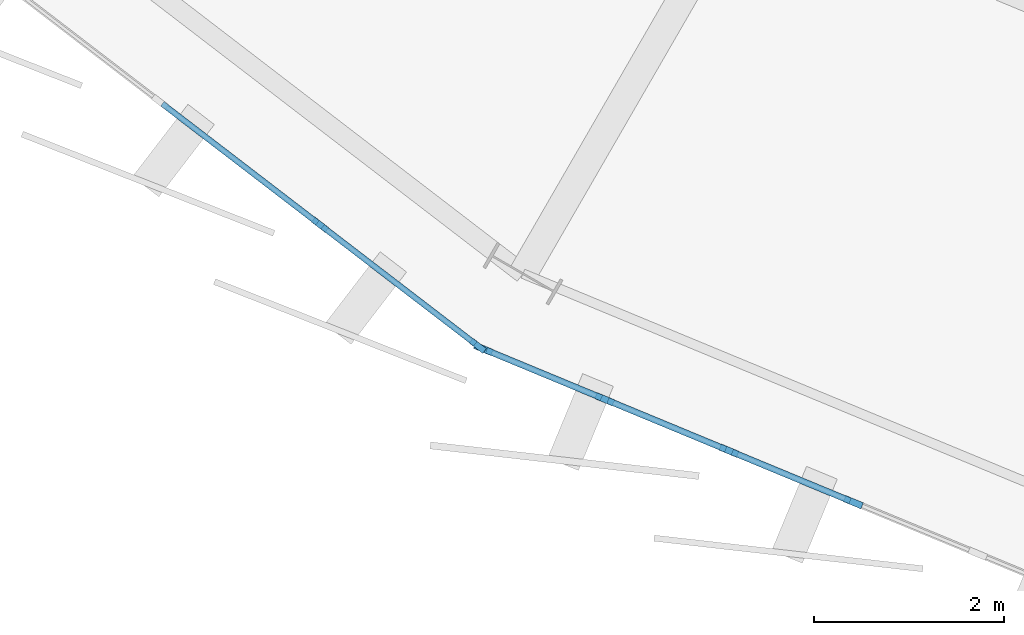
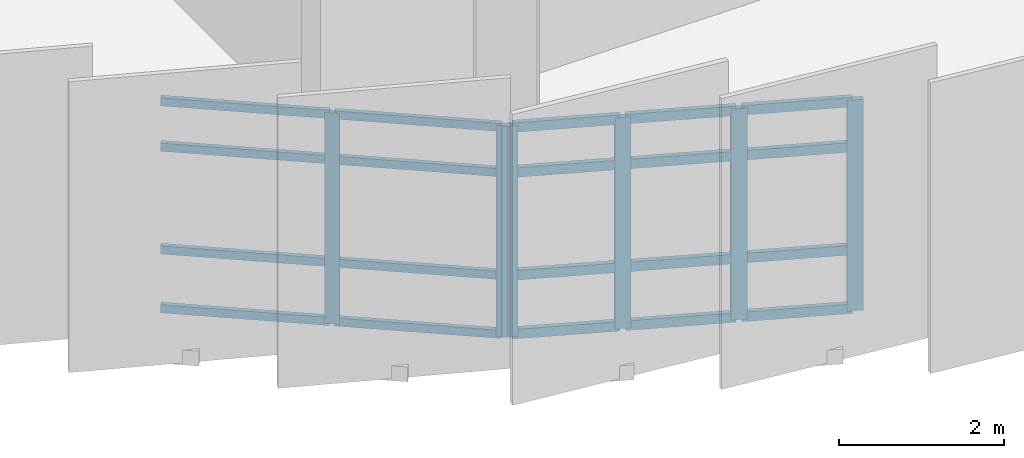
# One storey, part 24 of 120: 26 members, 2 elements without a shape of their own.
"""IFC4 building model written with IfcOpenShell, lengths in metres."""

from ifc_helpers import new_model, si_unit, direction, frame, origin, origin_2d, place, context, subcontext, project, spatial, rectangle, extrude, material, layer, layer_set, material_profile, profile_set, type_object, element, aggregate, save


model = new_model("IFC4")

# Units and contexts
model_context = context("Model", 3, precision=1e-05, world=origin(), true_north=direction((0.0, 1.0)))
body_context = subcontext(model_context, "Body", "Model", "MODEL_VIEW")
ifc_project = project(units=[si_unit("LENGTHUNIT", "METRE"), si_unit("AREAUNIT", "SQUARE_METRE"), si_unit("VOLUMEUNIT", "CUBIC_METRE"), si_unit("PLANEANGLEUNIT", "RADIAN"), si_unit("MASSUNIT", "GRAM", prefix="KILO")], contexts=[model_context])

# Site, building, storey
site_placement = place(None, origin())
site = spatial("IfcSite", under=ifc_project, at=site_placement, CompositionType="ELEMENT")
building_placement = place(site_placement, origin())
building = spatial("IfcBuilding", under=site, at=building_placement, Name="Sohan Crest Arena", CompositionType="ELEMENT")
storey_placement = place(building_placement, frame((0.0, 0.0, 13.5)))
storey = spatial("IfcBuildingStorey", under=building, at=storey_placement, Name="L03", CompositionType="ELEMENT", Elevation=13.5)

# Curtain wall, members
ifc_material = material(Name="Thermally broken anodised aluminium", Category="aluminium")
ifc_layer_1 = layer(ifc_material, 0.239990234375, Name="Thermally broken anodised aluminium")
ifc_layer_set_1 = layer_set([ifc_layer_1], Name="Thermally broken anodised aluminium")
curtain_wall_type_1 = type_object("IfcCurtainWallType", Name="ARC-CW04", PredefinedType="NOTDEFINED", material=ifc_layer_set_1)
curtain_wall_1_placement = place(storey_placement, origin())
curtain_wall_1 = element("IfcCurtainWall", 1, at=curtain_wall_1_placement, inside=storey, type_object=curtain_wall_type_1, Name="Unitised curtain wall CW-087", PredefinedType="NOTDEFINED")
ifc_material_profile_1 = material_profile(ifc_material, rectangle(XDim=0.06494140625, YDim=0.179931640625, at=origin_2d()), Name="ALU-MULL 65x180")
ifc_profile_set_1 = profile_set([ifc_material_profile_1], Name="Thermally broken anodised aluminium")
member_type_1 = type_object("IfcMemberType", Name="ARC-CW-ML02", PredefinedType="MULLION", material=ifc_profile_set_1)
member_1_placement = place(storey_placement, frame((71.862060546875, 36.946044921875, 0.0), z_axis=(0.0, 0.0, 1.0), x_axis=(0.608737381249, 0.793371792207, 0.0)))
member_1 = element("IfcMember", 2, at=member_1_placement, type_object=member_type_1, Name="CW-087 mullion 6", PredefinedType="MULLION", context=body_context, shape_type="SweptSolid", body=[
    extrude(rectangle(XDim=0.06494140625, YDim=0.179931640625, at=origin_2d()), origin(), (0.0, 0.0, 1.0), 3.1201171875),
])
member_2_placement = place(storey_placement, frame((73.524169921875, 35.6708984375, 0.0), z_axis=(0.0, 0.0, 1.0), x_axis=(0.608737381249, 0.793371792207, 0.0)))
member_2 = element("IfcMember", 3, at=member_2_placement, type_object=member_type_1, Name="CW-087 mullion 7", PredefinedType="MULLION", context=body_context, shape_type="SweptSolid", body=[
    extrude(rectangle(XDim=0.06494140625, YDim=0.179931640625, at=origin_2d()), origin(), (0.0, 0.0, 1.0), 3.1201171875),
])

ifc_layer_2 = layer(ifc_material, 0.18994140625, Name="Thermally broken anodised aluminium")
ifc_layer_set_2 = layer_set([ifc_layer_2], Name="Thermally broken anodised aluminium")
curtain_wall_type_2 = type_object("IfcCurtainWallType", Name="ARC-CW05", PredefinedType="NOTDEFINED", material=ifc_layer_set_2)
curtain_wall_2_placement = place(storey_placement, origin())
curtain_wall_2 = element("IfcCurtainWall", 4, at=curtain_wall_2_placement, inside=storey, type_object=curtain_wall_type_2, Name="Unitised curtain wall CW-088", PredefinedType="NOTDEFINED")
ifc_material_profile_2 = material_profile(ifc_material, rectangle(XDim=0.070068359375, YDim=0.199951171875, at=origin_2d()), Name="ALU-MULL 70x200")
ifc_profile_set_2 = profile_set([ifc_material_profile_2], Name="Thermally broken anodised aluminium")
member_type_2 = type_object("IfcMemberType", Name="ARC-CW-ML03", PredefinedType="MULLION", material=ifc_profile_set_2)
member_3_placement = place(storey_placement, frame((73.582275390625, 35.6376953125, 0.0), z_axis=(0.0, 0.0, 1.0), x_axis=(0.382667735827, 0.923886034074, 0.0)))
member_3 = element("IfcMember", 5, at=member_3_placement, type_object=member_type_2, Name="CW-088 mullion 1", PredefinedType="MULLION", context=body_context, shape_type="SweptSolid", body=[
    extrude(rectangle(XDim=0.070068359375, YDim=0.199951171875, at=origin_2d()), origin(), (0.0, 0.0, 1.0), 3.1201171875),
])
member_4_placement = place(storey_placement, frame((74.8603515625, 35.108154296875, 0.0), z_axis=(0.0, 0.0, 1.0), x_axis=(0.382667735827, 0.923886034074, 0.0)))
member_4 = element("IfcMember", 6, at=member_4_placement, type_object=member_type_2, Name="CW-088 mullion 2", PredefinedType="MULLION", context=body_context, shape_type="SweptSolid", body=[
    extrude(rectangle(XDim=0.070068359375, YDim=0.199951171875, at=origin_2d()), origin(), (0.0, 0.0, 1.0), 3.1201171875),
])
member_5_placement = place(storey_placement, frame((76.1708984375, 34.5654296875, 0.0), z_axis=(0.0, 0.0, 1.0), x_axis=(0.382667735827, 0.923886034074, 0.0)))
member_5 = element("IfcMember", 7, at=member_5_placement, type_object=member_type_2, Name="CW-088 mullion 3", PredefinedType="MULLION", context=body_context, shape_type="SweptSolid", body=[
    extrude(rectangle(XDim=0.070068359375, YDim=0.199951171875, at=origin_2d()), origin(), (0.0, 0.0, 1.0), 3.1201171875),
])
member_6_placement = place(storey_placement, frame((77.4814453125, 34.022705078125, 0.0), z_axis=(0.0, 0.0, 1.0), x_axis=(0.382667735827, 0.923886034074, 0.0)))
member_6 = element("IfcMember", 8, at=member_6_placement, type_object=member_type_2, Name="CW-088 mullion 4", PredefinedType="MULLION", context=body_context, shape_type="SweptSolid", body=[
    extrude(rectangle(XDim=0.070068359375, YDim=0.199951171875, at=origin_2d()), origin(), (0.0, 0.0, 1.0), 3.1201171875),
])

# Member
ifc_material_profile_3 = material_profile(ifc_material, rectangle(XDim=0.06005859375, YDim=0.1201171875, at=origin_2d()), Name="ALU-TRAN 60x120")
ifc_profile_set_3 = profile_set([ifc_material_profile_3], Name="Thermally broken anodised aluminium")
member_type_3 = type_object("IfcMemberType", Name="ARC-CW-TR01", PredefinedType="USERDEFINED", material=ifc_profile_set_3)
member_7_placement = place(storey_placement, frame((70.19970703125, 38.221435546875, 0.030029296875), z_axis=(0.79343295745, -0.608657655856, 0.0), x_axis=(0.608657655856, 0.79343295745, 0.0)))
member_7 = element("IfcMember", 9, at=member_7_placement, type_object=member_type_3, Name="CW-087 transom 5.1", ObjectType="TRANSOM", PredefinedType="USERDEFINED", context=body_context, shape_type="SweptSolid", body=[
    extrude(rectangle(XDim=0.06005859375, YDim=0.1201171875, at=origin_2d()), origin(), (0.0, 0.0, 1.0), 2.0625),
])

member_8_placement = place(storey_placement, frame((70.19970703125, 38.221435546875, 0.89990234375), z_axis=(0.79343295745, -0.608657655856, 0.0), x_axis=(0.608657655856, 0.79343295745, 0.0)))
member_8 = element("IfcMember", 10, at=member_8_placement, type_object=member_type_3, Name="CW-087 transom 5.2", ObjectType="TRANSOM", PredefinedType="USERDEFINED", context=body_context, shape_type="SweptSolid", body=[
    extrude(rectangle(XDim=0.06005859375, YDim=0.1201171875, at=origin_2d()), origin(), (0.0, 0.0, 1.0), 2.0625),
])

member_9_placement = place(storey_placement, frame((70.19970703125, 38.221435546875, 2.419921875), z_axis=(0.79343295745, -0.608657655856, 0.0), x_axis=(0.608657655856, 0.79343295745, 0.0)))
member_9 = element("IfcMember", 11, at=member_9_placement, type_object=member_type_3, Name="CW-087 transom 5.3", ObjectType="TRANSOM", PredefinedType="USERDEFINED", context=body_context, shape_type="SweptSolid", body=[
    extrude(rectangle(XDim=0.06005859375, YDim=0.1201171875, at=origin_2d()), origin(), (0.0, 0.0, 1.0), 2.0625),
])

member_10_placement = place(storey_placement, frame((70.19970703125, 38.221435546875, 3.090087890625), z_axis=(0.79343295745, -0.608657655856, 0.0), x_axis=(0.608657655856, 0.79343295745, 0.0)))
member_10 = element("IfcMember", 12, at=member_10_placement, type_object=member_type_3, Name="CW-087 transom 5.4", ObjectType="TRANSOM", PredefinedType="USERDEFINED", context=body_context, shape_type="SweptSolid", body=[
    extrude(rectangle(XDim=0.06005859375, YDim=0.1201171875, at=origin_2d()), origin(), (0.0, 0.0, 1.0), 2.0625),
])

member_11_placement = place(storey_placement, frame((71.8876953125, 36.92626953125, 0.030029296875), z_axis=(0.793459235104, -0.608623399343, 0.0), x_axis=(0.608623399343, 0.793459235104, 0.0)))
member_11 = element("IfcMember", 13, at=member_11_placement, type_object=member_type_3, Name="CW-087 transom 6.1", ObjectType="TRANSOM", PredefinedType="USERDEFINED", context=body_context, shape_type="SweptSolid", body=[
    extrude(rectangle(XDim=0.06005859375, YDim=0.1201171875, at=origin_2d()), origin(), (0.0, 0.0, 1.0), 2.030029296875),
])

member_12_placement = place(storey_placement, frame((71.8876953125, 36.92626953125, 0.89990234375), z_axis=(0.793459235104, -0.608623399343, 0.0), x_axis=(0.608623399343, 0.793459235104, 0.0)))
member_12 = element("IfcMember", 14, at=member_12_placement, type_object=member_type_3, Name="CW-087 transom 6.2", ObjectType="TRANSOM", PredefinedType="USERDEFINED", context=body_context, shape_type="SweptSolid", body=[
    extrude(rectangle(XDim=0.06005859375, YDim=0.1201171875, at=origin_2d()), origin(), (0.0, 0.0, 1.0), 2.030029296875),
])

member_13_placement = place(storey_placement, frame((71.8876953125, 36.92626953125, 2.419921875), z_axis=(0.793459235104, -0.608623399343, 0.0), x_axis=(0.608623399343, 0.793459235104, 0.0)))
member_13 = element("IfcMember", 15, at=member_13_placement, type_object=member_type_3, Name="CW-087 transom 6.3", ObjectType="TRANSOM", PredefinedType="USERDEFINED", context=body_context, shape_type="SweptSolid", body=[
    extrude(rectangle(XDim=0.06005859375, YDim=0.1201171875, at=origin_2d()), origin(), (0.0, 0.0, 1.0), 2.030029296875),
])

member_14_placement = place(storey_placement, frame((71.8876953125, 36.92626953125, 3.090087890625), z_axis=(0.793459235104, -0.608623399343, 0.0), x_axis=(0.608623399343, 0.793459235104, 0.0)))
member_14 = element("IfcMember", 16, at=member_14_placement, type_object=member_type_3, Name="CW-087 transom 6.4", ObjectType="TRANSOM", PredefinedType="USERDEFINED", context=body_context, shape_type="SweptSolid", body=[
    extrude(rectangle(XDim=0.06005859375, YDim=0.1201171875, at=origin_2d()), origin(), (0.0, 0.0, 1.0), 2.030029296875),
])

aggregate(curtain_wall_1, [member_1, member_2, member_7, member_8, member_9, member_10, member_11, member_12, member_13, member_14])

ifc_material_profile_4 = material_profile(ifc_material, rectangle(XDim=0.06494140625, YDim=0.139892578125, at=origin_2d()), Name="ALU-TRAN 65x140")
ifc_profile_set_4 = profile_set([ifc_material_profile_4], Name="Thermally broken anodised aluminium")
member_type_4 = type_object("IfcMemberType", Name="ARC-CW-TR02", PredefinedType="USERDEFINED", material=ifc_profile_set_4)
member_15_placement = place(storey_placement, frame((73.61474609375, 35.624267578125, 0.032470703125), z_axis=(0.923855963606, -0.38274032778, 0.0), x_axis=(0.38274032778, 0.923855963606, 0.0)))
member_15 = element("IfcMember", 17, at=member_15_placement, type_object=member_type_4, Name="CW-088 transom 1.1", ObjectType="TRANSOM", PredefinedType="USERDEFINED", context=body_context, shape_type="SweptSolid", body=[
    extrude(rectangle(XDim=0.06494140625, YDim=0.139892578125, at=origin_2d()), origin(), (0.0, 0.0, 1.0), 1.3134765625),
])

member_16_placement = place(storey_placement, frame((73.61474609375, 35.624267578125, 0.89990234375), z_axis=(0.923855963606, -0.38274032778, 0.0), x_axis=(0.38274032778, 0.923855963606, 0.0)))
member_16 = element("IfcMember", 18, at=member_16_placement, type_object=member_type_4, Name="CW-088 transom 1.2", ObjectType="TRANSOM", PredefinedType="USERDEFINED", context=body_context, shape_type="SweptSolid", body=[
    extrude(rectangle(XDim=0.06494140625, YDim=0.139892578125, at=origin_2d()), origin(), (0.0, 0.0, 1.0), 1.3134765625),
])

member_17_placement = place(storey_placement, frame((73.61474609375, 35.624267578125, 2.419921875), z_axis=(0.923855963606, -0.38274032778, 0.0), x_axis=(0.38274032778, 0.923855963606, 0.0)))
member_17 = element("IfcMember", 19, at=member_17_placement, type_object=member_type_4, Name="CW-088 transom 1.3", ObjectType="TRANSOM", PredefinedType="USERDEFINED", context=body_context, shape_type="SweptSolid", body=[
    extrude(rectangle(XDim=0.06494140625, YDim=0.139892578125, at=origin_2d()), origin(), (0.0, 0.0, 1.0), 1.3134765625),
])

member_18_placement = place(storey_placement, frame((73.61474609375, 35.624267578125, 3.08740234375), z_axis=(0.923855963606, -0.38274032778, 0.0), x_axis=(0.38274032778, 0.923855963606, 0.0)))
member_18 = element("IfcMember", 20, at=member_18_placement, type_object=member_type_4, Name="CW-088 transom 1.4", ObjectType="TRANSOM", PredefinedType="USERDEFINED", context=body_context, shape_type="SweptSolid", body=[
    extrude(rectangle(XDim=0.06494140625, YDim=0.139892578125, at=origin_2d()), origin(), (0.0, 0.0, 1.0), 1.3134765625),
])

member_19_placement = place(storey_placement, frame((74.892822265625, 35.0947265625, 0.032470703125), z_axis=(0.923926370716, -0.382570335356, 0.0), x_axis=(0.382570335356, 0.923926370716, 0.0)))
member_19 = element("IfcMember", 21, at=member_19_placement, type_object=member_type_4, Name="CW-088 transom 2.1", ObjectType="TRANSOM", PredefinedType="USERDEFINED", context=body_context, shape_type="SweptSolid", body=[
    extrude(rectangle(XDim=0.06494140625, YDim=0.139892578125, at=origin_2d()), origin(), (0.0, 0.0, 1.0), 1.348388671875),
])

member_20_placement = place(storey_placement, frame((74.892822265625, 35.0947265625, 0.89990234375), z_axis=(0.923926370716, -0.382570335356, 0.0), x_axis=(0.382570335356, 0.923926370716, 0.0)))
member_20 = element("IfcMember", 22, at=member_20_placement, type_object=member_type_4, Name="CW-088 transom 2.2", ObjectType="TRANSOM", PredefinedType="USERDEFINED", context=body_context, shape_type="SweptSolid", body=[
    extrude(rectangle(XDim=0.06494140625, YDim=0.139892578125, at=origin_2d()), origin(), (0.0, 0.0, 1.0), 1.348388671875),
])

member_21_placement = place(storey_placement, frame((74.892822265625, 35.0947265625, 2.419921875), z_axis=(0.923926370716, -0.382570335356, 0.0), x_axis=(0.382570335356, 0.923926370716, 0.0)))
member_21 = element("IfcMember", 23, at=member_21_placement, type_object=member_type_4, Name="CW-088 transom 2.3", ObjectType="TRANSOM", PredefinedType="USERDEFINED", context=body_context, shape_type="SweptSolid", body=[
    extrude(rectangle(XDim=0.06494140625, YDim=0.139892578125, at=origin_2d()), origin(), (0.0, 0.0, 1.0), 1.348388671875),
])

member_22_placement = place(storey_placement, frame((74.892822265625, 35.0947265625, 3.08740234375), z_axis=(0.923926370716, -0.382570335356, 0.0), x_axis=(0.382570335356, 0.923926370716, 0.0)))
member_22 = element("IfcMember", 24, at=member_22_placement, type_object=member_type_4, Name="CW-088 transom 2.4", ObjectType="TRANSOM", PredefinedType="USERDEFINED", context=body_context, shape_type="SweptSolid", body=[
    extrude(rectangle(XDim=0.06494140625, YDim=0.139892578125, at=origin_2d()), origin(), (0.0, 0.0, 1.0), 1.348388671875),
])

member_23_placement = place(storey_placement, frame((76.203125, 34.552001953125, 0.032470703125), z_axis=(0.923926370716, -0.382570335356, 0.0), x_axis=(0.382570335356, 0.923926370716, 0.0)))
member_23 = element("IfcMember", 25, at=member_23_placement, type_object=member_type_4, Name="CW-088 transom 3.1", ObjectType="TRANSOM", PredefinedType="USERDEFINED", context=body_context, shape_type="SweptSolid", body=[
    extrude(rectangle(XDim=0.06494140625, YDim=0.139892578125, at=origin_2d()), origin(), (0.0, 0.0, 1.0), 1.348388671875),
])

member_24_placement = place(storey_placement, frame((76.203125, 34.552001953125, 0.89990234375), z_axis=(0.923926370716, -0.382570335356, 0.0), x_axis=(0.382570335356, 0.923926370716, 0.0)))
member_24 = element("IfcMember", 26, at=member_24_placement, type_object=member_type_4, Name="CW-088 transom 3.2", ObjectType="TRANSOM", PredefinedType="USERDEFINED", context=body_context, shape_type="SweptSolid", body=[
    extrude(rectangle(XDim=0.06494140625, YDim=0.139892578125, at=origin_2d()), origin(), (0.0, 0.0, 1.0), 1.348388671875),
])

member_25_placement = place(storey_placement, frame((76.203125, 34.552001953125, 2.419921875), z_axis=(0.923926370716, -0.382570335356, 0.0), x_axis=(0.382570335356, 0.923926370716, 0.0)))
member_25 = element("IfcMember", 27, at=member_25_placement, type_object=member_type_4, Name="CW-088 transom 3.3", ObjectType="TRANSOM", PredefinedType="USERDEFINED", context=body_context, shape_type="SweptSolid", body=[
    extrude(rectangle(XDim=0.06494140625, YDim=0.139892578125, at=origin_2d()), origin(), (0.0, 0.0, 1.0), 1.348388671875),
])

member_26_placement = place(storey_placement, frame((76.203125, 34.552001953125, 3.08740234375), z_axis=(0.923926370716, -0.382570335356, 0.0), x_axis=(0.382570335356, 0.923926370716, 0.0)))
member_26 = element("IfcMember", 28, at=member_26_placement, type_object=member_type_4, Name="CW-088 transom 3.4", ObjectType="TRANSOM", PredefinedType="USERDEFINED", context=body_context, shape_type="SweptSolid", body=[
    extrude(rectangle(XDim=0.06494140625, YDim=0.139892578125, at=origin_2d()), origin(), (0.0, 0.0, 1.0), 1.348388671875),
])

aggregate(curtain_wall_2, [member_3, member_4, member_5, member_6, member_15, member_16, member_17, member_18, member_19, member_20, member_21, member_22, member_23, member_24, member_25, member_26])

save(model, "model.ifc")
